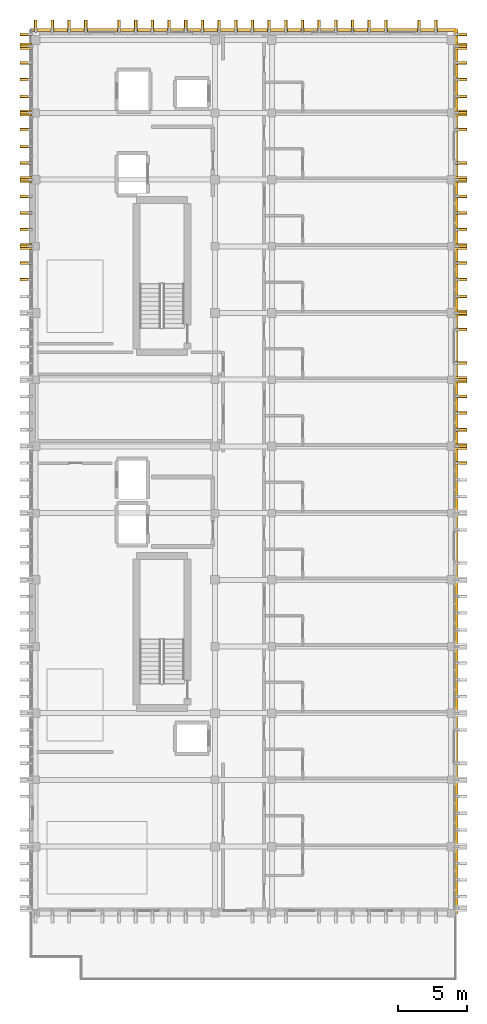
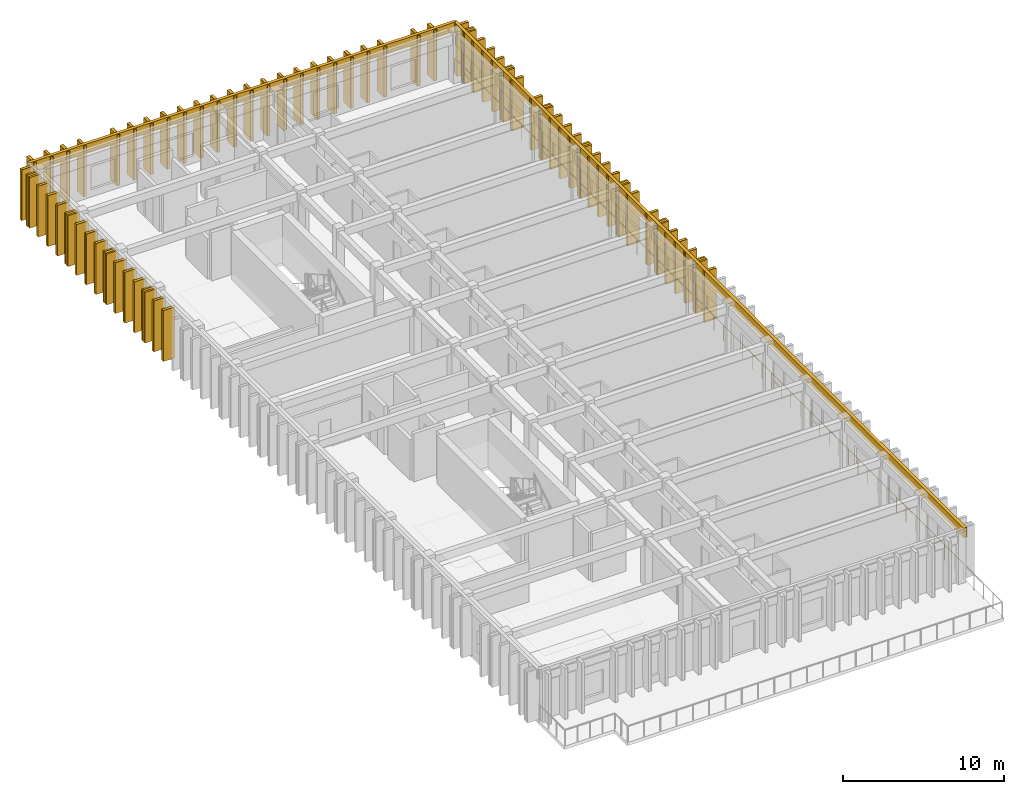
# One storey, part 50 of 50: 66 coverings, 64 shading devices, 1 railing.
"""IFC4 building model written with IfcOpenShell, lengths in metres."""

from ifc_helpers import new_model, si_unit, direction, frame, origin, origin_2d, place, context, subcontext, project, spatial, rectangle, circle, extrude, material, layer, layer_set, type_object, element, save


model = new_model("IFC4")

# Units and contexts
model_context = context("Model", 3, precision=1e-05, world=origin(), true_north=direction((0.0, 1.0)))
body_context = subcontext(model_context, "Body", "Model", "MODEL_VIEW")
ifc_project = project(units=[si_unit("LENGTHUNIT", "METRE"), si_unit("AREAUNIT", "SQUARE_METRE"), si_unit("VOLUMEUNIT", "CUBIC_METRE"), si_unit("PLANEANGLEUNIT", "RADIAN"), si_unit("MASSUNIT", "GRAM", prefix="KILO")], contexts=[model_context])

# Site, building, storey
site_placement = place(None, origin())
site = spatial("IfcSite", under=ifc_project, at=site_placement, CompositionType="ELEMENT")
building_placement = place(site_placement, origin())
building = spatial("IfcBuilding", under=site, at=building_placement, Name="Nakhvara Creek Congress Hotel", CompositionType="ELEMENT")
storey_placement = place(building_placement, frame((0.0, 0.0, 42.60009765625)))
storey = spatial("IfcBuildingStorey", under=building, at=storey_placement, Name="L10", CompositionType="ELEMENT", Elevation=42.60009765625)

# Coverings
ifc_material_1 = material(Name="Honed pale Omani limestone architectural cladding", Category="masonry")
ifc_layer_1 = layer(ifc_material_1, 0.219970703125)
ifc_layer_set_1 = layer_set([ifc_layer_1], Name="Honed pale Omani limestone architectural cladding")
covering_type_1 = type_object("IfcCoveringType", Name="COV-FIN-850", PredefinedType="CLADDING", material=ifc_layer_set_1)
covering_1_placement = place(storey_placement, frame((180.054931640625, 94.800048828125, 0.0), z_axis=(0.0, 0.0, 1.0), x_axis=(0.0, 1.0, 0.0)))
element("IfcCovering", 1, at=covering_1_placement, inside=storey, type_object=covering_type_1, Name="Pale Limestone Fin Cladding CF01-2343", PredefinedType="CLADDING", context=body_context, shape_type="SweptSolid", body=[
    extrude(rectangle(XDim=0.219970703125, YDim=0.85009765625, at=origin_2d()), origin(), (0.0, 0.0, 1.0), 3.860107421875),
])
covering_2_placement = place(storey_placement, frame((180.054931640625, 96.0, 0.0), z_axis=(0.0, 0.0, 1.0), x_axis=(0.0, 1.0, 0.0)))
element("IfcCovering", 2, at=covering_2_placement, inside=storey, type_object=covering_type_1, Name="Pale Limestone Fin Cladding CF01-2345", PredefinedType="CLADDING", context=body_context, shape_type="SweptSolid", body=[
    extrude(rectangle(XDim=0.43994140625, YDim=0.85009765625, at=origin_2d()), origin(), (0.0, 0.0, 1.0), 3.860107421875),
])
for number, where, z_axis, x_axis, name in (
    (3, (180.054931640625, 97.199951171875, 0.0), (0.0, 0.0, 1.0), (0.0, 1.0, 0.0), "Pale Limestone Fin Cladding CF01-2347"),
    (4, (180.054931640625, 98.39990234375, 0.0), (0.0, 0.0, 1.0), (0.0, 1.0, 0.0), "Pale Limestone Fin Cladding CF01-2349"),
    (5, (180.054931640625, 99.60009765625, 0.0), (0.0, 0.0, 1.0), (0.0, 1.0, 0.0), "Pale Limestone Fin Cladding CF01-2351"),
):
    element("IfcCovering", number, at=place(storey_placement, frame(where, z_axis=z_axis, x_axis=x_axis)), inside=storey, type_object=covering_type_1, Name=name, PredefinedType="CLADDING", context=body_context, shape_type="SweptSolid", body=[
        extrude(rectangle(XDim=0.219970703125, YDim=0.85009765625, at=origin_2d()), origin(), (0.0, 0.0, 1.0), 3.860107421875),
    ])
covering_3_placement = place(storey_placement, frame((180.054931640625, 100.800048828125, 0.0), z_axis=(0.0, 0.0, 1.0), x_axis=(0.0, 1.0, 0.0)))
element("IfcCovering", 6, at=covering_3_placement, inside=storey, type_object=covering_type_1, Name="Pale Limestone Fin Cladding CF01-2353", PredefinedType="CLADDING", context=body_context, shape_type="SweptSolid", body=[
    extrude(rectangle(XDim=0.43994140625, YDim=0.85009765625, at=origin_2d()), origin(), (0.0, 0.0, 1.0), 3.860107421875),
])
for number, where, z_axis, x_axis, name in (
    (7, (180.054931640625, 102.0, 0.0), (0.0, 0.0, 1.0), (0.0, 1.0, 0.0), "Pale Limestone Fin Cladding CF01-2355"),
    (8, (180.054931640625, 104.39990234375, 0.0), (0.0, 0.0, 1.0), (0.0, 1.0, 0.0), "Pale Limestone Fin Cladding CF01-2358"),
):
    element("IfcCovering", number, at=place(storey_placement, frame(where, z_axis=z_axis, x_axis=x_axis)), inside=storey, type_object=covering_type_1, Name=name, PredefinedType="CLADDING", context=body_context, shape_type="SweptSolid", body=[
        extrude(rectangle(XDim=0.219970703125, YDim=0.85009765625, at=origin_2d()), origin(), (0.0, 0.0, 1.0), 3.860107421875),
    ])
covering_4_placement = place(storey_placement, frame((180.054931640625, 105.60009765625, 0.0), z_axis=(0.0, 0.0, 1.0), x_axis=(0.0, 1.0, 0.0)))
element("IfcCovering", 9, at=covering_4_placement, inside=storey, type_object=covering_type_1, Name="Pale Limestone Fin Cladding CF01-2360", PredefinedType="CLADDING", context=body_context, shape_type="SweptSolid", body=[
    extrude(rectangle(XDim=0.43994140625, YDim=0.85009765625, at=origin_2d()), origin(), (0.0, 0.0, 1.0), 3.860107421875),
])
for number, where, z_axis, x_axis, name in (
    (10, (180.054931640625, 106.800048828125, 0.0), (0.0, 0.0, 1.0), (0.0, 1.0, 0.0), "Pale Limestone Fin Cladding CF01-2362"),
    (11, (180.054931640625, 108.0, 0.0), (0.0, 0.0, 1.0), (0.0, 1.0, 0.0), "Pale Limestone Fin Cladding CF01-2364"),
    (12, (148.7451171875, 108.0, 0.0), (0.0, 0.0, 1.0), (0.0, 1.0, 0.0), "Pale Limestone Fin Cladding CF01-2365"),
    (13, (180.054931640625, 109.199951171875, 0.0), (0.0, 0.0, 1.0), (0.0, 1.0, 0.0), "Pale Limestone Fin Cladding CF01-2366"),
    (14, (148.7451171875, 109.199951171875, 0.0), (0.0, 0.0, 1.0), (0.0, 1.0, 0.0), "Pale Limestone Fin Cladding CF01-2367"),
):
    element("IfcCovering", number, at=place(storey_placement, frame(where, z_axis=z_axis, x_axis=x_axis)), inside=storey, type_object=covering_type_1, Name=name, PredefinedType="CLADDING", context=body_context, shape_type="SweptSolid", body=[
        extrude(rectangle(XDim=0.219970703125, YDim=0.85009765625, at=origin_2d()), origin(), (0.0, 0.0, 1.0), 3.860107421875),
    ])
for number, where, z_axis, x_axis, name in (
    (15, (180.054931640625, 110.39990234375, 0.0), (0.0, 0.0, 1.0), (0.0, 1.0, 0.0), "Pale Limestone Fin Cladding CF01-2368"),
    (16, (148.7451171875, 110.39990234375, 0.0), (0.0, 0.0, 1.0), (0.0, 1.0, 0.0), "Pale Limestone Fin Cladding CF01-2369"),
):
    element("IfcCovering", number, at=place(storey_placement, frame(where, z_axis=z_axis, x_axis=x_axis)), inside=storey, type_object=covering_type_1, Name=name, PredefinedType="CLADDING", context=body_context, shape_type="SweptSolid", body=[
        extrude(rectangle(XDim=0.43994140625, YDim=0.85009765625, at=origin_2d()), origin(), (0.0, 0.0, 1.0), 3.860107421875),
    ])
for number, where, z_axis, x_axis, name in (
    (17, (180.054931640625, 111.60009765625, 0.0), (0.0, 0.0, 1.0), (0.0, 1.0, 0.0), "Pale Limestone Fin Cladding CF01-2370"),
    (18, (148.7451171875, 111.60009765625, 0.0), (0.0, 0.0, 1.0), (0.0, 1.0, 0.0), "Pale Limestone Fin Cladding CF01-2371"),
    (19, (180.054931640625, 112.800048828125, 0.0), (0.0, 0.0, 1.0), (0.0, 1.0, 0.0), "Pale Limestone Fin Cladding CF01-2372"),
    (20, (148.7451171875, 112.800048828125, 0.0), (0.0, 0.0, 1.0), (0.0, 1.0, 0.0), "Pale Limestone Fin Cladding CF01-2373"),
    (21, (180.054931640625, 114.0, 0.0), (0.0, 0.0, 1.0), (0.0, 1.0, 0.0), "Pale Limestone Fin Cladding CF01-2374"),
    (22, (148.7451171875, 114.0, 0.0), (0.0, 0.0, 1.0), (0.0, 1.0, 0.0), "Pale Limestone Fin Cladding CF01-2375"),
):
    element("IfcCovering", number, at=place(storey_placement, frame(where, z_axis=z_axis, x_axis=x_axis)), inside=storey, type_object=covering_type_1, Name=name, PredefinedType="CLADDING", context=body_context, shape_type="SweptSolid", body=[
        extrude(rectangle(XDim=0.219970703125, YDim=0.85009765625, at=origin_2d()), origin(), (0.0, 0.0, 1.0), 3.860107421875),
    ])
for number, where, z_axis, x_axis, name in (
    (23, (180.054931640625, 115.199951171875, 0.0), (0.0, 0.0, 1.0), (0.0, 1.0, 0.0), "Pale Limestone Fin Cladding CF01-2376"),
    (24, (148.7451171875, 115.199951171875, 0.0), (0.0, 0.0, 1.0), (0.0, 1.0, 0.0), "Pale Limestone Fin Cladding CF01-2377"),
):
    element("IfcCovering", number, at=place(storey_placement, frame(where, z_axis=z_axis, x_axis=x_axis)), inside=storey, type_object=covering_type_1, Name=name, PredefinedType="CLADDING", context=body_context, shape_type="SweptSolid", body=[
        extrude(rectangle(XDim=0.43994140625, YDim=0.85009765625, at=origin_2d()), origin(), (0.0, 0.0, 1.0), 3.860107421875),
    ])
for number, where, z_axis, x_axis, name in (
    (25, (180.054931640625, 116.39990234375, 0.0), (0.0, 0.0, 1.0), (0.0, 1.0, 0.0), "Pale Limestone Fin Cladding CF01-2378"),
    (26, (148.7451171875, 116.39990234375, 0.0), (0.0, 0.0, 1.0), (0.0, 1.0, 0.0), "Pale Limestone Fin Cladding CF01-2379"),
    (27, (148.7451171875, 117.60009765625, 0.0), (0.0, 0.0, 1.0), (0.0, 1.0, 0.0), "Pale Limestone Fin Cladding CF01-2380"),
    (28, (180.054931640625, 118.800048828125, 0.0), (0.0, 0.0, 1.0), (0.0, 1.0, 0.0), "Pale Limestone Fin Cladding CF01-2381"),
    (29, (148.7451171875, 118.800048828125, 0.0), (0.0, 0.0, 1.0), (0.0, 1.0, 0.0), "Pale Limestone Fin Cladding CF01-2382"),
):
    element("IfcCovering", number, at=place(storey_placement, frame(where, z_axis=z_axis, x_axis=x_axis)), inside=storey, type_object=covering_type_1, Name=name, PredefinedType="CLADDING", context=body_context, shape_type="SweptSolid", body=[
        extrude(rectangle(XDim=0.219970703125, YDim=0.85009765625, at=origin_2d()), origin(), (0.0, 0.0, 1.0), 3.860107421875),
    ])
for number, where, z_axis, x_axis, name in (
    (30, (180.054931640625, 120.0, 0.0), (0.0, 0.0, 1.0), (0.0, 1.0, 0.0), "Pale Limestone Fin Cladding CF01-2383"),
    (31, (148.7451171875, 120.0, 0.0), (0.0, 0.0, 1.0), (0.0, 1.0, 0.0), "Pale Limestone Fin Cladding CF01-2384"),
):
    element("IfcCovering", number, at=place(storey_placement, frame(where, z_axis=z_axis, x_axis=x_axis)), inside=storey, type_object=covering_type_1, Name=name, PredefinedType="CLADDING", context=body_context, shape_type="SweptSolid", body=[
        extrude(rectangle(XDim=0.43994140625, YDim=0.85009765625, at=origin_2d()), origin(), (0.0, 0.0, 1.0), 3.860107421875),
    ])
for number, where, z_axis, x_axis, name in (
    (32, (180.054931640625, 121.199951171875, 0.0), (0.0, 0.0, 1.0), (0.0, 1.0, 0.0), "Pale Limestone Fin Cladding CF01-2385"),
    (33, (148.7451171875, 121.199951171875, 0.0), (0.0, 0.0, 1.0), (0.0, 1.0, 0.0), "Pale Limestone Fin Cladding CF01-2386"),
    (34, (180.054931640625, 122.39990234375, 0.0), (0.0, 0.0, 1.0), (0.0, 1.0, 0.0), "Pale Limestone Fin Cladding CF01-2387"),
    (35, (148.7451171875, 122.39990234375, 0.0), (0.0, 0.0, 1.0), (0.0, 1.0, 0.0), "Pale Limestone Fin Cladding CF01-2388"),
    (36, (180.054931640625, 123.60009765625, 0.0), (0.0, 0.0, 1.0), (0.0, 1.0, 0.0), "Pale Limestone Fin Cladding CF01-2389"),
    (37, (148.7451171875, 123.60009765625, 0.0), (0.0, 0.0, 1.0), (0.0, 1.0, 0.0), "Pale Limestone Fin Cladding CF01-2390"),
):
    element("IfcCovering", number, at=place(storey_placement, frame(where, z_axis=z_axis, x_axis=x_axis)), inside=storey, type_object=covering_type_1, Name=name, PredefinedType="CLADDING", context=body_context, shape_type="SweptSolid", body=[
        extrude(rectangle(XDim=0.219970703125, YDim=0.85009765625, at=origin_2d()), origin(), (0.0, 0.0, 1.0), 3.860107421875),
    ])
for number, where, z_axis, x_axis, name in (
    (38, (180.054931640625, 124.800048828125, 0.0), (0.0, 0.0, 1.0), (0.0, 1.0, 0.0), "Pale Limestone Fin Cladding CF01-2391"),
    (39, (148.7451171875, 124.800048828125, 0.0), (0.0, 0.0, 1.0), (0.0, 1.0, 0.0), "Pale Limestone Fin Cladding CF01-2392"),
):
    element("IfcCovering", number, at=place(storey_placement, frame(where, z_axis=z_axis, x_axis=x_axis)), inside=storey, type_object=covering_type_1, Name=name, PredefinedType="CLADDING", context=body_context, shape_type="SweptSolid", body=[
        extrude(rectangle(XDim=0.43994140625, YDim=0.85009765625, at=origin_2d()), origin(), (0.0, 0.0, 1.0), 3.860107421875),
    ])
for number, where, z_axis, x_axis, name in (
    (40, (180.054931640625, 125.64990234375, 0.0), (0.0, 0.0, 1.0), (0.0, 1.0, 0.0), "Pale Limestone Fin Cladding CF01-2393"),
    (41, (148.7451171875, 125.64990234375, 0.0), (0.0, 0.0, 1.0), (0.0, 1.0, 0.0), "Pale Limestone Fin Cladding CF01-2394"),
    (42, (149.449951171875, 126.264892578125, 0.0), (0.0, 0.0, 1.0), (1.0, 0.0, 0.0), "Pale Limestone Fin Cladding CF01-2395"),
    (43, (150.64990234375, 126.264892578125, 0.0), (0.0, 0.0, 1.0), (1.0, 0.0, 0.0), "Pale Limestone Fin Cladding CF01-2397"),
    (44, (151.85009765625, 126.264892578125, 0.0), (0.0, 0.0, 1.0), (1.0, 0.0, 0.0), "Pale Limestone Fin Cladding CF01-2399"),
    (45, (153.050048828125, 126.264892578125, 0.0), (0.0, 0.0, 1.0), (1.0, 0.0, 0.0), "Pale Limestone Fin Cladding CF01-2401"),
    (46, (155.449951171875, 126.264892578125, 0.0), (0.0, 0.0, 1.0), (1.0, 0.0, 0.0), "Pale Limestone Fin Cladding CF01-2403"),
    (47, (156.64990234375, 126.264892578125, 0.0), (0.0, 0.0, 1.0), (1.0, 0.0, 0.0), "Pale Limestone Fin Cladding CF01-2405"),
    (48, (157.85009765625, 126.264892578125, 0.0), (0.0, 0.0, 1.0), (1.0, 0.0, 0.0), "Pale Limestone Fin Cladding CF01-2407"),
    (49, (159.050048828125, 126.264892578125, 0.0), (0.0, 0.0, 1.0), (1.0, 0.0, 0.0), "Pale Limestone Fin Cladding CF01-2409"),
    (50, (160.25, 126.264892578125, 0.0), (0.0, 0.0, 1.0), (1.0, 0.0, 0.0), "Pale Limestone Fin Cladding CF01-2411"),
    (51, (161.449951171875, 126.264892578125, 0.0), (0.0, 0.0, 1.0), (1.0, 0.0, 0.0), "Pale Limestone Fin Cladding CF01-2413"),
    (52, (162.64990234375, 126.264892578125, 0.0), (0.0, 0.0, 1.0), (1.0, 0.0, 0.0), "Pale Limestone Fin Cladding CF01-2415"),
    (53, (163.85009765625, 126.264892578125, 0.0), (0.0, 0.0, 1.0), (1.0, 0.0, 0.0), "Pale Limestone Fin Cladding CF01-2416"),
    (54, (165.050048828125, 126.264892578125, 0.0), (0.0, 0.0, 1.0), (1.0, 0.0, 0.0), "Pale Limestone Fin Cladding CF01-2417"),
    (55, (166.25, 126.264892578125, 0.0), (0.0, 0.0, 1.0), (1.0, 0.0, 0.0), "Pale Limestone Fin Cladding CF01-2419"),
    (56, (167.449951171875, 126.264892578125, 0.0), (0.0, 0.0, 1.0), (1.0, 0.0, 0.0), "Pale Limestone Fin Cladding CF01-2421"),
    (57, (168.64990234375, 126.264892578125, 0.0), (0.0, 0.0, 1.0), (1.0, 0.0, 0.0), "Pale Limestone Fin Cladding CF01-2423"),
    (58, (169.85009765625, 126.264892578125, 0.0), (0.0, 0.0, 1.0), (1.0, 0.0, 0.0), "Pale Limestone Fin Cladding CF01-2424"),
    (59, (171.050048828125, 126.264892578125, 0.0), (0.0, 0.0, 1.0), (1.0, 0.0, 0.0), "Pale Limestone Fin Cladding CF01-2426"),
    (60, (172.25, 126.264892578125, 0.0), (0.0, 0.0, 1.0), (1.0, 0.0, 0.0), "Pale Limestone Fin Cladding CF01-2428"),
    (61, (173.449951171875, 126.264892578125, 0.0), (0.0, 0.0, 1.0), (1.0, 0.0, 0.0), "Pale Limestone Fin Cladding CF01-2430"),
    (62, (174.64990234375, 126.264892578125, 0.0), (0.0, 0.0, 1.0), (1.0, 0.0, 0.0), "Pale Limestone Fin Cladding CF01-2432"),
    (63, (177.050048828125, 126.264892578125, 0.0), (0.0, 0.0, 1.0), (1.0, 0.0, 0.0), "Pale Limestone Fin Cladding CF01-2435"),
    (64, (178.25, 126.264892578125, 0.0), (0.0, 0.0, 1.0), (1.0, 0.0, 0.0), "Pale Limestone Fin Cladding CF01-2437"),
):
    element("IfcCovering", number, at=place(storey_placement, frame(where, z_axis=z_axis, x_axis=x_axis)), inside=storey, type_object=covering_type_1, Name=name, PredefinedType="CLADDING", context=body_context, shape_type="SweptSolid", body=[
        extrude(rectangle(XDim=0.219970703125, YDim=0.85009765625, at=origin_2d()), origin(), (0.0, 0.0, 1.0), 3.860107421875),
    ])
ifc_layer_2 = layer(ifc_material_1, 0.179931640625)
ifc_layer_set_2 = layer_set([ifc_layer_2], Name="Honed pale Omani limestone architectural cladding")
covering_type_2 = type_object("IfcCoveringType", Name="COV-SPN-180", PredefinedType="CLADDING", material=ifc_layer_set_2)
covering_5_placement = place(storey_placement, frame((179.739990234375, 94.199951171875, 3.2099609375), z_axis=(0.0, 0.0, 1.0), x_axis=(0.0, 1.0, 0.0)))
element("IfcCovering", 65, at=covering_5_placement, inside=storey, type_object=covering_type_2, Name="Pale Limestone Spandrel Band CF02-0081", PredefinedType="CLADDING", context=body_context, shape_type="SweptSolid", body=[
    extrude(rectangle(XDim=63.60009765625, YDim=0.219970703125, at=origin_2d()), origin(), (0.0, 0.0, 1.0), 0.72998046875),
])
covering_6_placement = place(storey_placement, frame((164.39990234375, 125.969970703125, 3.2099609375), z_axis=(0.0, 0.0, 1.0), x_axis=(1.0, 0.0, 0.0)))
element("IfcCovering", 66, at=covering_6_placement, inside=storey, type_object=covering_type_2, Name="Pale Limestone Spandrel Band CF02-0083", PredefinedType="CLADDING", context=body_context, shape_type="SweptSolid", body=[
    extrude(rectangle(XDim=30.699951171875, YDim=0.219970703125, at=origin_2d()), origin(), (0.0, 0.0, 1.0), 0.72998046875),
])

# Railing
ifc_material_2 = material(Name="Brushed stainless steel 316L", Category="steel")
railing_type = type_object("IfcRailingType", Name="RL-GUARD-1200", PredefinedType="GUARDRAIL", material=ifc_material_2)
railing_placement = place(storey_placement, frame((179.669921875, 62.47998046875, 0.0)))
element("IfcRailing", 67, at=railing_placement, inside=storey, type_object=railing_type, Name="Perimeter Safety Rail East L10", PredefinedType="GUARDRAIL", context=body_context, shape_type="SweptSolid", body=[
    extrude(circle(Radius=0.02392578125, at=origin_2d()), frame((0.0, 0.0146484375, 1.17578125), z_axis=(0.0, 1.0, 0.0), x_axis=(-1.0, 0.0, 0.0)), (0.0, 0.0, 1.0), 63.41064453125),
    extrude(circle(Radius=0.02099609375, at=origin_2d()), origin(), (0.0, 0.0, 1.0), 1.1806640625),
    extrude(circle(Radius=0.02099609375, at=origin_2d()), frame((0.0, 1.197021484375, 0.0)), (0.0, 0.0, 1.0), 1.1806640625),
    extrude(circle(Radius=0.02099609375, at=origin_2d()), frame((0.0, 2.39404296875, 0.0)), (0.0, 0.0, 1.0), 1.1806640625),
    extrude(circle(Radius=0.02099609375, at=origin_2d()), frame((0.0, 3.5908203125, 0.0)), (0.0, 0.0, 1.0), 1.1806640625),
    extrude(circle(Radius=0.02099609375, at=origin_2d()), frame((0.0, 4.787841796875, 0.0)), (0.0, 0.0, 1.0), 1.1806640625),
    extrude(circle(Radius=0.02099609375, at=origin_2d()), frame((0.0, 5.98486328125, 0.0)), (0.0, 0.0, 1.0), 1.1806640625),
    extrude(circle(Radius=0.02099609375, at=origin_2d()), frame((0.0, 7.181884765625, 0.0)), (0.0, 0.0, 1.0), 1.1806640625),
    extrude(circle(Radius=0.02099609375, at=origin_2d()), frame((0.0, 8.37890625, 0.0)), (0.0, 0.0, 1.0), 1.1806640625),
    extrude(circle(Radius=0.02099609375, at=origin_2d()), frame((0.0, 9.575927734375, 0.0)), (0.0, 0.0, 1.0), 1.1806640625),
    extrude(circle(Radius=0.02099609375, at=origin_2d()), frame((0.0, 10.772705078125, 0.0)), (0.0, 0.0, 1.0), 1.1806640625),
    extrude(circle(Radius=0.02099609375, at=origin_2d()), frame((0.0, 11.9697265625, 0.0)), (0.0, 0.0, 1.0), 1.1806640625),
    extrude(circle(Radius=0.02099609375, at=origin_2d()), frame((0.0, 13.166748046875, 0.0)), (0.0, 0.0, 1.0), 1.1806640625),
    extrude(circle(Radius=0.02099609375, at=origin_2d()), frame((0.0, 14.36376953125, 0.0)), (0.0, 0.0, 1.0), 1.1806640625),
    extrude(circle(Radius=0.02099609375, at=origin_2d()), frame((0.0, 15.560791015625, 0.0)), (0.0, 0.0, 1.0), 1.1806640625),
    extrude(circle(Radius=0.02099609375, at=origin_2d()), frame((0.0, 16.7578125, 0.0)), (0.0, 0.0, 1.0), 1.1806640625),
    extrude(circle(Radius=0.02099609375, at=origin_2d()), frame((0.0, 17.95458984375, 0.0)), (0.0, 0.0, 1.0), 1.1806640625),
    extrude(circle(Radius=0.02099609375, at=origin_2d()), frame((0.0, 19.151611328125, 0.0)), (0.0, 0.0, 1.0), 1.1806640625),
    extrude(circle(Radius=0.02099609375, at=origin_2d()), frame((0.0, 20.3486328125, 0.0)), (0.0, 0.0, 1.0), 1.1806640625),
    extrude(circle(Radius=0.02099609375, at=origin_2d()), frame((0.0, 21.545654296875, 0.0)), (0.0, 0.0, 1.0), 1.1806640625),
    extrude(circle(Radius=0.02099609375, at=origin_2d()), frame((0.0, 22.74267578125, 0.0)), (0.0, 0.0, 1.0), 1.1806640625),
    extrude(circle(Radius=0.02099609375, at=origin_2d()), frame((0.0, 23.939697265625, 0.0)), (0.0, 0.0, 1.0), 1.1806640625),
    extrude(circle(Radius=0.02099609375, at=origin_2d()), frame((0.0, 25.136474609375, 0.0)), (0.0, 0.0, 1.0), 1.1806640625),
    extrude(circle(Radius=0.02099609375, at=origin_2d()), frame((0.0, 26.33349609375, 0.0)), (0.0, 0.0, 1.0), 1.1806640625),
    extrude(circle(Radius=0.02099609375, at=origin_2d()), frame((0.0, 27.530517578125, 0.0)), (0.0, 0.0, 1.0), 1.1806640625),
    extrude(circle(Radius=0.02099609375, at=origin_2d()), frame((0.0, 28.7275390625, 0.0)), (0.0, 0.0, 1.0), 1.1806640625),
    extrude(circle(Radius=0.02099609375, at=origin_2d()), frame((0.0, 29.924560546875, 0.0)), (0.0, 0.0, 1.0), 1.1806640625),
    extrude(circle(Radius=0.02099609375, at=origin_2d()), frame((0.0, 31.12158203125, 0.0)), (0.0, 0.0, 1.0), 1.1806640625),
    extrude(circle(Radius=0.02099609375, at=origin_2d()), frame((0.0, 32.318359375, 0.0)), (0.0, 0.0, 1.0), 1.1806640625),
    extrude(circle(Radius=0.02099609375, at=origin_2d()), frame((0.0, 33.515380859375, 0.0)), (0.0, 0.0, 1.0), 1.1806640625),
    extrude(circle(Radius=0.02099609375, at=origin_2d()), frame((0.0, 34.71240234375, 0.0)), (0.0, 0.0, 1.0), 1.1806640625),
    extrude(circle(Radius=0.02099609375, at=origin_2d()), frame((0.0, 35.909423828125, 0.0)), (0.0, 0.0, 1.0), 1.1806640625),
    extrude(circle(Radius=0.02099609375, at=origin_2d()), frame((0.0, 37.1064453125, 0.0)), (0.0, 0.0, 1.0), 1.1806640625),
    extrude(circle(Radius=0.02099609375, at=origin_2d()), frame((0.0, 38.303466796875, 0.0)), (0.0, 0.0, 1.0), 1.1806640625),
    extrude(circle(Radius=0.02099609375, at=origin_2d()), frame((0.0, 39.500244140625, 0.0)), (0.0, 0.0, 1.0), 1.1806640625),
    extrude(circle(Radius=0.02099609375, at=origin_2d()), frame((0.0, 40.697265625, 0.0)), (0.0, 0.0, 1.0), 1.1806640625),
    extrude(circle(Radius=0.02099609375, at=origin_2d()), frame((0.0, 41.894287109375, 0.0)), (0.0, 0.0, 1.0), 1.1806640625),
    extrude(circle(Radius=0.02099609375, at=origin_2d()), frame((0.0, 43.09130859375, 0.0)), (0.0, 0.0, 1.0), 1.1806640625),
    extrude(circle(Radius=0.02099609375, at=origin_2d()), frame((0.0, 44.288330078125, 0.0)), (0.0, 0.0, 1.0), 1.1806640625),
    extrude(circle(Radius=0.02099609375, at=origin_2d()), frame((0.0, 45.4853515625, 0.0)), (0.0, 0.0, 1.0), 1.1806640625),
    extrude(circle(Radius=0.02099609375, at=origin_2d()), frame((0.0, 46.68212890625, 0.0)), (0.0, 0.0, 1.0), 1.1806640625),
    extrude(circle(Radius=0.02099609375, at=origin_2d()), frame((0.0, 47.879150390625, 0.0)), (0.0, 0.0, 1.0), 1.1806640625),
    extrude(circle(Radius=0.02099609375, at=origin_2d()), frame((0.0, 49.076171875, 0.0)), (0.0, 0.0, 1.0), 1.1806640625),
    extrude(circle(Radius=0.02099609375, at=origin_2d()), frame((0.0, 50.273193359375, 0.0)), (0.0, 0.0, 1.0), 1.1806640625),
    extrude(circle(Radius=0.02099609375, at=origin_2d()), frame((0.0, 51.47021484375, 0.0)), (0.0, 0.0, 1.0), 1.1806640625),
    extrude(circle(Radius=0.02099609375, at=origin_2d()), frame((0.0, 52.667236328125, 0.0)), (0.0, 0.0, 1.0), 1.1806640625),
    extrude(circle(Radius=0.02099609375, at=origin_2d()), frame((0.0, 53.864013671875, 0.0)), (0.0, 0.0, 1.0), 1.1806640625),
    extrude(circle(Radius=0.02099609375, at=origin_2d()), frame((0.0, 55.06103515625, 0.0)), (0.0, 0.0, 1.0), 1.1806640625),
    extrude(circle(Radius=0.02099609375, at=origin_2d()), frame((0.0, 56.258056640625, 0.0)), (0.0, 0.0, 1.0), 1.1806640625),
    extrude(circle(Radius=0.02099609375, at=origin_2d()), frame((0.0, 57.455078125, 0.0)), (0.0, 0.0, 1.0), 1.1806640625),
    extrude(circle(Radius=0.02099609375, at=origin_2d()), frame((0.0, 58.652099609375, 0.0)), (0.0, 0.0, 1.0), 1.1806640625),
    extrude(circle(Radius=0.02099609375, at=origin_2d()), frame((0.0, 59.84912109375, 0.0)), (0.0, 0.0, 1.0), 1.1806640625),
    extrude(circle(Radius=0.02099609375, at=origin_2d()), frame((0.0, 61.0458984375, 0.0)), (0.0, 0.0, 1.0), 1.1806640625),
    extrude(circle(Radius=0.02099609375, at=origin_2d()), frame((0.0, 62.242919921875, 0.0)), (0.0, 0.0, 1.0), 1.1806640625),
    extrude(circle(Radius=0.02099609375, at=origin_2d()), frame((0.0, 63.43994140625, 0.0)), (0.0, 0.0, 1.0), 1.1806640625),
])

# Shading devices
ifc_material_3 = material(Name="Honed pale Omani limestone cladding on stainless steel spine", Category="masonry")
shading_device_type = type_object("IfcShadingDeviceType", Name="SHD-FIN-850X3600", PredefinedType="USERDEFINED", material=ifc_material_3)
for number, where, z_axis, x_axis, name in (
    (68, (180.054931640625, 94.800048828125, 0.0), (0.0, 0.0, 1.0), (0.0, 1.0, 0.0), "Limestone Solar Fin FN01-2208"),
    (69, (180.054931640625, 96.0, 0.0), (0.0, 0.0, 1.0), (0.0, 1.0, 0.0), "Limestone Solar Fin FN01-2210"),
    (70, (180.054931640625, 97.199951171875, 0.0), (0.0, 0.0, 1.0), (0.0, 1.0, 0.0), "Limestone Solar Fin FN01-2212"),
    (71, (180.054931640625, 98.39990234375, 0.0), (0.0, 0.0, 1.0), (0.0, 1.0, 0.0), "Limestone Solar Fin FN01-2214"),
    (72, (180.054931640625, 99.60009765625, 0.0), (0.0, 0.0, 1.0), (0.0, 1.0, 0.0), "Limestone Solar Fin FN01-2216"),
    (73, (180.054931640625, 100.800048828125, 0.0), (0.0, 0.0, 1.0), (0.0, 1.0, 0.0), "Limestone Solar Fin FN01-2218"),
    (74, (180.054931640625, 102.0, 0.0), (0.0, 0.0, 1.0), (0.0, 1.0, 0.0), "Limestone Solar Fin FN01-2220"),
    (75, (180.054931640625, 104.39990234375, 0.0), (0.0, 0.0, 1.0), (0.0, 1.0, 0.0), "Limestone Solar Fin FN01-2223"),
    (76, (180.054931640625, 105.60009765625, 0.0), (0.0, 0.0, 1.0), (0.0, 1.0, 0.0), "Limestone Solar Fin FN01-2225"),
    (77, (180.054931640625, 106.800048828125, 0.0), (0.0, 0.0, 1.0), (0.0, 1.0, 0.0), "Limestone Solar Fin FN01-2227"),
    (78, (180.054931640625, 108.0, 0.0), (0.0, 0.0, 1.0), (0.0, 1.0, 0.0), "Limestone Solar Fin FN01-2229"),
    (79, (148.7451171875, 108.0, 0.0), (0.0, 0.0, 1.0), (0.0, 1.0, 0.0), "Limestone Solar Fin FN01-2230"),
    (80, (180.054931640625, 109.199951171875, 0.0), (0.0, 0.0, 1.0), (0.0, 1.0, 0.0), "Limestone Solar Fin FN01-2231"),
    (81, (148.7451171875, 109.199951171875, 0.0), (0.0, 0.0, 1.0), (0.0, 1.0, 0.0), "Limestone Solar Fin FN01-2232"),
    (82, (180.054931640625, 110.39990234375, 0.0), (0.0, 0.0, 1.0), (0.0, 1.0, 0.0), "Limestone Solar Fin FN01-2233"),
    (83, (148.7451171875, 110.39990234375, 0.0), (0.0, 0.0, 1.0), (0.0, 1.0, 0.0), "Limestone Solar Fin FN01-2234"),
    (84, (180.054931640625, 111.60009765625, 0.0), (0.0, 0.0, 1.0), (0.0, 1.0, 0.0), "Limestone Solar Fin FN01-2235"),
    (85, (148.7451171875, 111.60009765625, 0.0), (0.0, 0.0, 1.0), (0.0, 1.0, 0.0), "Limestone Solar Fin FN01-2236"),
    (86, (180.054931640625, 112.800048828125, 0.0), (0.0, 0.0, 1.0), (0.0, 1.0, 0.0), "Limestone Solar Fin FN01-2237"),
    (87, (148.7451171875, 112.800048828125, 0.0), (0.0, 0.0, 1.0), (0.0, 1.0, 0.0), "Limestone Solar Fin FN01-2238"),
    (88, (180.054931640625, 114.0, 0.0), (0.0, 0.0, 1.0), (0.0, 1.0, 0.0), "Limestone Solar Fin FN01-2239"),
    (89, (148.7451171875, 114.0, 0.0), (0.0, 0.0, 1.0), (0.0, 1.0, 0.0), "Limestone Solar Fin FN01-2240"),
    (90, (180.054931640625, 115.199951171875, 0.0), (0.0, 0.0, 1.0), (0.0, 1.0, 0.0), "Limestone Solar Fin FN01-2241"),
    (91, (148.7451171875, 115.199951171875, 0.0), (0.0, 0.0, 1.0), (0.0, 1.0, 0.0), "Limestone Solar Fin FN01-2242"),
    (92, (180.054931640625, 116.39990234375, 0.0), (0.0, 0.0, 1.0), (0.0, 1.0, 0.0), "Limestone Solar Fin FN01-2243"),
    (93, (148.7451171875, 116.39990234375, 0.0), (0.0, 0.0, 1.0), (0.0, 1.0, 0.0), "Limestone Solar Fin FN01-2244"),
    (94, (148.7451171875, 117.60009765625, 0.0), (0.0, 0.0, 1.0), (0.0, 1.0, 0.0), "Limestone Solar Fin FN01-2245"),
    (95, (180.054931640625, 118.800048828125, 0.0), (0.0, 0.0, 1.0), (0.0, 1.0, 0.0), "Limestone Solar Fin FN01-2246"),
    (96, (148.7451171875, 118.800048828125, 0.0), (0.0, 0.0, 1.0), (0.0, 1.0, 0.0), "Limestone Solar Fin FN01-2247"),
    (97, (180.054931640625, 120.0, 0.0), (0.0, 0.0, 1.0), (0.0, 1.0, 0.0), "Limestone Solar Fin FN01-2248"),
    (98, (148.7451171875, 120.0, 0.0), (0.0, 0.0, 1.0), (0.0, 1.0, 0.0), "Limestone Solar Fin FN01-2249"),
    (99, (180.054931640625, 121.199951171875, 0.0), (0.0, 0.0, 1.0), (0.0, 1.0, 0.0), "Limestone Solar Fin FN01-2250"),
    (100, (148.7451171875, 121.199951171875, 0.0), (0.0, 0.0, 1.0), (0.0, 1.0, 0.0), "Limestone Solar Fin FN01-2251"),
    (101, (180.054931640625, 122.39990234375, 0.0), (0.0, 0.0, 1.0), (0.0, 1.0, 0.0), "Limestone Solar Fin FN01-2252"),
    (102, (148.7451171875, 122.39990234375, 0.0), (0.0, 0.0, 1.0), (0.0, 1.0, 0.0), "Limestone Solar Fin FN01-2253"),
    (103, (180.054931640625, 123.60009765625, 0.0), (0.0, 0.0, 1.0), (0.0, 1.0, 0.0), "Limestone Solar Fin FN01-2254"),
    (104, (148.7451171875, 123.60009765625, 0.0), (0.0, 0.0, 1.0), (0.0, 1.0, 0.0), "Limestone Solar Fin FN01-2255"),
    (105, (180.054931640625, 124.800048828125, 0.0), (0.0, 0.0, 1.0), (0.0, 1.0, 0.0), "Limestone Solar Fin FN01-2256"),
    (106, (148.7451171875, 124.800048828125, 0.0), (0.0, 0.0, 1.0), (0.0, 1.0, 0.0), "Limestone Solar Fin FN01-2257"),
    (107, (180.054931640625, 125.64990234375, 0.0), (0.0, 0.0, 1.0), (0.0, 1.0, 0.0), "Limestone Solar Fin FN01-2258"),
    (108, (148.7451171875, 125.64990234375, 0.0), (0.0, 0.0, 1.0), (0.0, 1.0, 0.0), "Limestone Solar Fin FN01-2259"),
    (109, (149.449951171875, 126.264892578125, 0.0), (0.0, 0.0, 1.0), (1.0, 0.0, 0.0), "Limestone Solar Fin FN01-2260"),
    (110, (150.64990234375, 126.264892578125, 0.0), (0.0, 0.0, 1.0), (1.0, 0.0, 0.0), "Limestone Solar Fin FN01-2262"),
    (111, (151.85009765625, 126.264892578125, 0.0), (0.0, 0.0, 1.0), (1.0, 0.0, 0.0), "Limestone Solar Fin FN01-2264"),
    (112, (153.050048828125, 126.264892578125, 0.0), (0.0, 0.0, 1.0), (1.0, 0.0, 0.0), "Limestone Solar Fin FN01-2266"),
    (113, (155.449951171875, 126.264892578125, 0.0), (0.0, 0.0, 1.0), (1.0, 0.0, 0.0), "Limestone Solar Fin FN01-2268"),
    (114, (156.64990234375, 126.264892578125, 0.0), (0.0, 0.0, 1.0), (1.0, 0.0, 0.0), "Limestone Solar Fin FN01-2270"),
    (115, (157.85009765625, 126.264892578125, 0.0), (0.0, 0.0, 1.0), (1.0, 0.0, 0.0), "Limestone Solar Fin FN01-2272"),
    (116, (159.050048828125, 126.264892578125, 0.0), (0.0, 0.0, 1.0), (1.0, 0.0, 0.0), "Limestone Solar Fin FN01-2274"),
    (117, (160.25, 126.264892578125, 0.0), (0.0, 0.0, 1.0), (1.0, 0.0, 0.0), "Limestone Solar Fin FN01-2276"),
    (118, (161.449951171875, 126.264892578125, 0.0), (0.0, 0.0, 1.0), (1.0, 0.0, 0.0), "Limestone Solar Fin FN01-2278"),
    (119, (162.64990234375, 126.264892578125, 0.0), (0.0, 0.0, 1.0), (1.0, 0.0, 0.0), "Limestone Solar Fin FN01-2280"),
    (120, (163.85009765625, 126.264892578125, 0.0), (0.0, 0.0, 1.0), (1.0, 0.0, 0.0), "Limestone Solar Fin FN01-2281"),
    (121, (165.050048828125, 126.264892578125, 0.0), (0.0, 0.0, 1.0), (1.0, 0.0, 0.0), "Limestone Solar Fin FN01-2282"),
    (122, (166.25, 126.264892578125, 0.0), (0.0, 0.0, 1.0), (1.0, 0.0, 0.0), "Limestone Solar Fin FN01-2284"),
    (123, (167.449951171875, 126.264892578125, 0.0), (0.0, 0.0, 1.0), (1.0, 0.0, 0.0), "Limestone Solar Fin FN01-2286"),
    (124, (168.64990234375, 126.264892578125, 0.0), (0.0, 0.0, 1.0), (1.0, 0.0, 0.0), "Limestone Solar Fin FN01-2288"),
    (125, (169.85009765625, 126.264892578125, 0.0), (0.0, 0.0, 1.0), (1.0, 0.0, 0.0), "Limestone Solar Fin FN01-2289"),
    (126, (171.050048828125, 126.264892578125, 0.0), (0.0, 0.0, 1.0), (1.0, 0.0, 0.0), "Limestone Solar Fin FN01-2291"),
    (127, (172.25, 126.264892578125, 0.0), (0.0, 0.0, 1.0), (1.0, 0.0, 0.0), "Limestone Solar Fin FN01-2293"),
    (128, (173.449951171875, 126.264892578125, 0.0), (0.0, 0.0, 1.0), (1.0, 0.0, 0.0), "Limestone Solar Fin FN01-2295"),
    (129, (174.64990234375, 126.264892578125, 0.0), (0.0, 0.0, 1.0), (1.0, 0.0, 0.0), "Limestone Solar Fin FN01-2297"),
    (130, (177.050048828125, 126.264892578125, 0.0), (0.0, 0.0, 1.0), (1.0, 0.0, 0.0), "Limestone Solar Fin FN01-2300"),
    (131, (178.25, 126.264892578125, 0.0), (0.0, 0.0, 1.0), (1.0, 0.0, 0.0), "Limestone Solar Fin FN01-2302"),
):
    element("IfcShadingDevice", number, at=place(storey_placement, frame(where, z_axis=z_axis, x_axis=x_axis)), inside=storey, type_object=shading_device_type, Name=name, ObjectType="FIN", PredefinedType="USERDEFINED", context=body_context, shape_type="SweptSolid", body=[
        extrude(rectangle(XDim=0.179931640625, YDim=0.85009765625, at=origin_2d()), origin(), (0.0, 0.0, 1.0), 3.860107421875),
    ])

save(model, "model.ifc")
